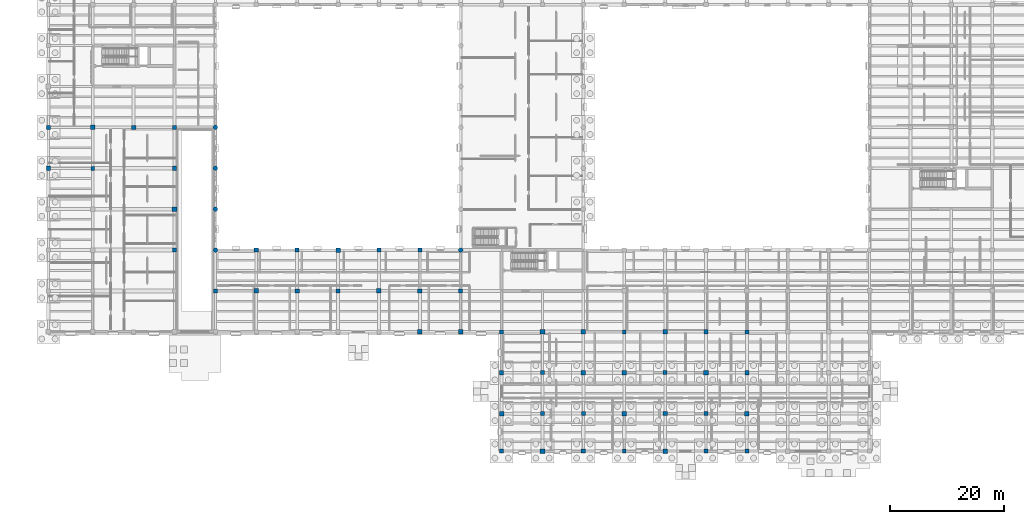
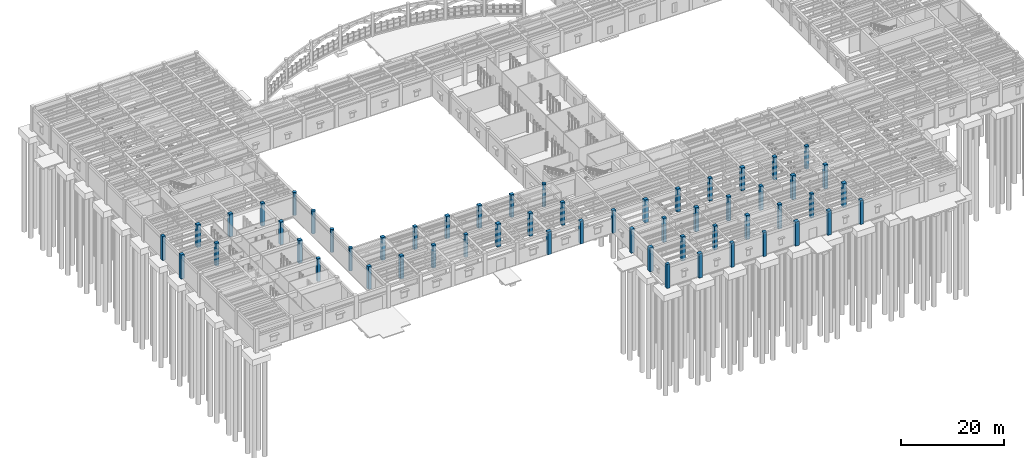
# One storey, part 4 of 100: 56 columns.
"""IFC4 building model written with IfcOpenShell, lengths in metres."""

from ifc_helpers import new_model, si_unit, direction, frame, origin, origin_2d, place, context, subcontext, project, spatial, rectangle, circle, extrude, material, material_profile, profile_set, type_object, element, save


model = new_model("IFC4")

# Units and contexts
model_context = context("Model", 3, precision=1e-05, world=origin(), true_north=direction((0.0, 1.0)))
body_context = subcontext(model_context, "Body", "Model", "MODEL_VIEW")
ifc_project = project(units=[si_unit("LENGTHUNIT", "METRE"), si_unit("AREAUNIT", "SQUARE_METRE"), si_unit("VOLUMEUNIT", "CUBIC_METRE"), si_unit("PLANEANGLEUNIT", "RADIAN"), si_unit("MASSUNIT", "GRAM", prefix="KILO")], contexts=[model_context])

# Site, building, storey
site_placement = place(None, origin())
site = spatial("IfcSite", under=ifc_project, at=site_placement, CompositionType="ELEMENT")
building_placement = place(site_placement, origin())
building = spatial("IfcBuilding", under=site, at=building_placement, Name="Mithqara Police Headquarters", CompositionType="ELEMENT")
storey_placement = place(building_placement, origin())
storey = spatial("IfcBuildingStorey", under=building, at=storey_placement, Name="L00", CompositionType="ELEMENT", Elevation=0.0)

# Columns
ifc_material = material(Name="Concrete C50/60", Category="concrete")
ifc_material_profile_1 = material_profile(ifc_material, rectangle(XDim=0.699951171875, YDim=0.699951171875, at=origin_2d()), Name="RC 700x700")
ifc_profile_set_1 = profile_set([ifc_material_profile_1], Name="Concrete C50/60")
column_type_1 = type_object("IfcColumnType", Name="COLUMN RC700", PredefinedType="COLUMN", material=ifc_profile_set_1)
column_1_placement = place(storey_placement, frame((0.0, 57.0, -0.320068359375), z_axis=(0.0, 0.0, 1.0), x_axis=(1.0, 0.0, 0.0)))
element("IfcColumn", 1, at=column_1_placement, inside=storey, type_object=column_type_1, Name="L00 Column 1/J", PredefinedType="COLUMN", context=body_context, shape_type="SweptSolid", body=[
    extrude(rectangle(XDim=0.699951171875, YDim=0.699951171875, at=origin_2d()), origin(), (0.0, 0.0, 1.0), 5.719970703125),
])
for number, where, z_axis, x_axis, name in (
    (2, (7.800048828125, 49.800048828125, 0.0), (0.0, 0.0, 1.0), (1.0, 0.0, 0.0), "L00 Column 2/H"),
    (3, (22.199951171875, 35.39990234375, 0.0), (0.0, 0.0, 1.0), (1.0, 0.0, 0.0), "L00 Column 4/F"),
    (4, (22.199951171875, 57.0, 0.0), (0.0, 0.0, 1.0), (1.0, 0.0, 0.0), "L00 Column 4/J"),
    (5, (29.39990234375, 28.199951171875, 0.0), (0.0, 0.0, 1.0), (1.0, 0.0, 0.0), "L00 Column 5/E"),
    (6, (43.800048828125, 35.39990234375, 0.0), (0.0, 0.0, 1.0), (1.0, 0.0, 0.0), "L00 Column 7/F"),
    (7, (51.0, 28.199951171875, 0.0), (0.0, 0.0, 1.0), (1.0, 0.0, 0.0), "L00 Column 8/E"),
    (8, (65.39990234375, 35.39990234375, 0.0), (0.0, 0.0, 1.0), (1.0, 0.0, 0.0), "L00 Column 10/F"),
    (9, (72.60009765625, 28.199951171875, 0.0), (0.0, 0.0, 1.0), (1.0, 0.0, 0.0), "L00 Column 11/E"),
):
    element("IfcColumn", number, at=place(storey_placement, frame(where, z_axis=z_axis, x_axis=x_axis)), inside=storey, type_object=column_type_1, Name=name, PredefinedType="COLUMN", context=body_context, shape_type="SweptSolid", body=[
        extrude(rectangle(XDim=0.699951171875, YDim=0.699951171875, at=origin_2d()), origin(), (0.0, 0.0, 1.0), 5.39990234375),
    ])
column_2_placement = place(storey_placement, frame((79.800048828125, 0.0, -0.320068359375), z_axis=(0.0, 0.0, 1.0), x_axis=(1.0, 0.0, 0.0)))
element("IfcColumn", 10, at=column_2_placement, inside=storey, type_object=column_type_1, Name="L00 Column 12/A", PredefinedType="COLUMN", context=body_context, shape_type="SweptSolid", body=[
    extrude(rectangle(XDim=0.699951171875, YDim=0.699951171875, at=origin_2d()), origin(), (0.0, 0.0, 1.0), 5.719970703125),
])
column_3_placement = place(storey_placement, frame((79.800048828125, 21.0, 0.0), z_axis=(0.0, 0.0, 1.0), x_axis=(1.0, 0.0, 0.0)))
element("IfcColumn", 11, at=column_3_placement, inside=storey, type_object=column_type_1, Name="L00 Column 12/D", PredefinedType="COLUMN", context=body_context, shape_type="SweptSolid", body=[
    extrude(rectangle(XDim=0.699951171875, YDim=0.699951171875, at=origin_2d()), origin(), (0.0, 0.0, 1.0), 5.39990234375),
])
for number, where, z_axis, x_axis, name in (
    (12, (87.0, 13.800048828125, -0.320068359375), (0.0, 0.0, 1.0), (1.0, 0.0, 0.0), "L00 Column 13/C"),
    (13, (94.199951171875, 6.60009765625, -0.320068359375), (0.0, 0.0, 1.0), (1.0, 0.0, 0.0), "L00 Column 14/B"),
    (14, (101.39990234375, 0.0, -0.320068359375), (0.0, 0.0, 1.0), (1.0, 0.0, 0.0), "L00 Column 15/A"),
):
    element("IfcColumn", number, at=place(storey_placement, frame(where, z_axis=z_axis, x_axis=x_axis)), inside=storey, type_object=column_type_1, Name=name, PredefinedType="COLUMN", context=body_context, shape_type="SweptSolid", body=[
        extrude(rectangle(XDim=0.699951171875, YDim=0.699951171875, at=origin_2d()), origin(), (0.0, 0.0, 1.0), 5.719970703125),
    ])
column_4_placement = place(storey_placement, frame((101.39990234375, 21.0, 0.0), z_axis=(0.0, 0.0, 1.0), x_axis=(1.0, 0.0, 0.0)))
element("IfcColumn", 15, at=column_4_placement, inside=storey, type_object=column_type_1, Name="L00 Column 15/D", PredefinedType="COLUMN", context=body_context, shape_type="SweptSolid", body=[
    extrude(rectangle(XDim=0.699951171875, YDim=0.699951171875, at=origin_2d()), origin(), (0.0, 0.0, 1.0), 5.39990234375),
])
for number, where, z_axis, x_axis, name in (
    (16, (108.60009765625, 13.800048828125, -0.320068359375), (0.0, 0.0, 1.0), (1.0, 0.0, 0.0), "L00 Column 16/C"),
    (17, (115.800048828125, 6.60009765625, -0.320068359375), (0.0, 0.0, 1.0), (1.0, 0.0, 0.0), "L00 Column 17/B"),
    (18, (123.0, 0.0, -0.320068359375), (0.0, 0.0, 1.0), (1.0, 0.0, 0.0), "L00 Column 18/A"),
):
    element("IfcColumn", number, at=place(storey_placement, frame(where, z_axis=z_axis, x_axis=x_axis)), inside=storey, type_object=column_type_1, Name=name, PredefinedType="COLUMN", context=body_context, shape_type="SweptSolid", body=[
        extrude(rectangle(XDim=0.699951171875, YDim=0.699951171875, at=origin_2d()), origin(), (0.0, 0.0, 1.0), 5.719970703125),
    ])
column_5_placement = place(storey_placement, frame((123.0, 21.0, 0.0), z_axis=(0.0, 0.0, 1.0), x_axis=(1.0, 0.0, 0.0)))
element("IfcColumn", 19, at=column_5_placement, inside=storey, type_object=column_type_1, Name="L00 Column 18/D", PredefinedType="COLUMN", context=body_context, shape_type="SweptSolid", body=[
    extrude(rectangle(XDim=0.699951171875, YDim=0.699951171875, at=origin_2d()), origin(), (0.0, 0.0, 1.0), 5.39990234375),
])
ifc_material_profile_2 = material_profile(ifc_material, rectangle(XDim=0.75, YDim=0.75, at=origin_2d()), Name="RC 750x750")
ifc_profile_set_2 = profile_set([ifc_material_profile_2], Name="Concrete C50/60")
column_type_2 = type_object("IfcColumnType", Name="COLUMN RC750", PredefinedType="COLUMN", material=ifc_profile_set_2)
column_6_placement = place(storey_placement, frame((0.0, 49.800048828125, -0.320068359375), z_axis=(0.0, 0.0, 1.0), x_axis=(1.0, 0.0, 0.0)))
element("IfcColumn", 20, at=column_6_placement, inside=storey, type_object=column_type_2, Name="L00 Column 1/H", PredefinedType="COLUMN", context=body_context, shape_type="SweptSolid", body=[
    extrude(rectangle(XDim=0.75, YDim=0.75, at=origin_2d()), origin(), (0.0, 0.0, 1.0), 5.719970703125),
])
for number, where, z_axis, x_axis, name in (
    (21, (15.0, 57.0, 0.0), (0.0, 0.0, 1.0), (1.0, 0.0, 0.0), "L00 Column 3/J"),
    (22, (22.199951171875, 49.800048828125, 0.0), (0.0, 0.0, 1.0), (1.0, 0.0, 0.0), "L00 Column 4/H"),
    (23, (36.60009765625, 35.39990234375, 0.0), (0.0, 0.0, 1.0), (1.0, 0.0, 0.0), "L00 Column 6/F"),
    (24, (43.800048828125, 28.199951171875, 0.0), (0.0, 0.0, 1.0), (1.0, 0.0, 0.0), "L00 Column 7/E"),
    (25, (58.199951171875, 35.39990234375, 0.0), (0.0, 0.0, 1.0), (1.0, 0.0, 0.0), "L00 Column 9/F"),
    (26, (65.39990234375, 28.199951171875, 0.0), (0.0, 0.0, 1.0), (1.0, 0.0, 0.0), "L00 Column 10/E"),
    (27, (72.60009765625, 21.0, 0.0), (0.0, 0.0, 1.0), (1.0, 0.0, 0.0), "L00 Column 11/D"),
):
    element("IfcColumn", number, at=place(storey_placement, frame(where, z_axis=z_axis, x_axis=x_axis)), inside=storey, type_object=column_type_2, Name=name, PredefinedType="COLUMN", context=body_context, shape_type="SweptSolid", body=[
        extrude(rectangle(XDim=0.75, YDim=0.75, at=origin_2d()), origin(), (0.0, 0.0, 1.0), 5.39990234375),
    ])
for number, where, z_axis, x_axis, name in (
    (28, (79.800048828125, 13.800048828125, -0.320068359375), (0.0, 0.0, 1.0), (1.0, 0.0, 0.0), "L00 Column 12/C"),
    (29, (87.0, 6.60009765625, -0.320068359375), (0.0, 0.0, 1.0), (1.0, 0.0, 0.0), "L00 Column 13/B"),
    (30, (94.199951171875, 0.0, -0.320068359375), (0.0, 0.0, 1.0), (1.0, 0.0, 0.0), "L00 Column 14/A"),
):
    element("IfcColumn", number, at=place(storey_placement, frame(where, z_axis=z_axis, x_axis=x_axis)), inside=storey, type_object=column_type_2, Name=name, PredefinedType="COLUMN", context=body_context, shape_type="SweptSolid", body=[
        extrude(rectangle(XDim=0.75, YDim=0.75, at=origin_2d()), origin(), (0.0, 0.0, 1.0), 5.719970703125),
    ])
column_7_placement = place(storey_placement, frame((94.199951171875, 21.0, 0.0), z_axis=(0.0, 0.0, 1.0), x_axis=(1.0, 0.0, 0.0)))
element("IfcColumn", 31, at=column_7_placement, inside=storey, type_object=column_type_2, Name="L00 Column 14/D", PredefinedType="COLUMN", context=body_context, shape_type="SweptSolid", body=[
    extrude(rectangle(XDim=0.75, YDim=0.75, at=origin_2d()), origin(), (0.0, 0.0, 1.0), 5.39990234375),
])
for number, where, z_axis, x_axis, name in (
    (32, (101.39990234375, 13.800048828125, -0.320068359375), (0.0, 0.0, 1.0), (1.0, 0.0, 0.0), "L00 Column 15/C"),
    (33, (108.60009765625, 6.60009765625, -0.320068359375), (0.0, 0.0, 1.0), (1.0, 0.0, 0.0), "L00 Column 16/B"),
    (34, (115.800048828125, 0.0, -0.320068359375), (0.0, 0.0, 1.0), (1.0, 0.0, 0.0), "L00 Column 17/A"),
):
    element("IfcColumn", number, at=place(storey_placement, frame(where, z_axis=z_axis, x_axis=x_axis)), inside=storey, type_object=column_type_2, Name=name, PredefinedType="COLUMN", context=body_context, shape_type="SweptSolid", body=[
        extrude(rectangle(XDim=0.75, YDim=0.75, at=origin_2d()), origin(), (0.0, 0.0, 1.0), 5.719970703125),
    ])
column_8_placement = place(storey_placement, frame((115.800048828125, 21.0, 0.0), z_axis=(0.0, 0.0, 1.0), x_axis=(1.0, 0.0, 0.0)))
element("IfcColumn", 35, at=column_8_placement, inside=storey, type_object=column_type_2, Name="L00 Column 17/D", PredefinedType="COLUMN", context=body_context, shape_type="SweptSolid", body=[
    extrude(rectangle(XDim=0.75, YDim=0.75, at=origin_2d()), origin(), (0.0, 0.0, 1.0), 5.39990234375),
])
column_9_placement = place(storey_placement, frame((123.0, 13.800048828125, -0.320068359375), z_axis=(0.0, 0.0, 1.0), x_axis=(1.0, 0.0, 0.0)))
element("IfcColumn", 36, at=column_9_placement, inside=storey, type_object=column_type_2, Name="L00 Column 18/C", PredefinedType="COLUMN", context=body_context, shape_type="SweptSolid", body=[
    extrude(rectangle(XDim=0.75, YDim=0.75, at=origin_2d()), origin(), (0.0, 0.0, 1.0), 5.719970703125),
])
ifc_material_profile_3 = material_profile(ifc_material, rectangle(XDim=0.800048828125, YDim=0.800048828125, at=origin_2d()), Name="RC 800x800")
ifc_profile_set_3 = profile_set([ifc_material_profile_3], Name="Concrete C50/60")
column_type_3 = type_object("IfcColumnType", Name="COLUMN RC800", PredefinedType="COLUMN", material=ifc_profile_set_3)
for number, where, z_axis, x_axis, name in (
    (37, (7.800048828125, 57.0, 0.0), (0.0, 0.0, 1.0), (1.0, 0.0, 0.0), "L00 Column 2/J"),
    (38, (22.199951171875, 42.60009765625, 0.0), (0.0, 0.0, 1.0), (1.0, 0.0, 0.0), "L00 Column 4/G"),
    (39, (36.60009765625, 28.199951171875, 0.0), (0.0, 0.0, 1.0), (1.0, 0.0, 0.0), "L00 Column 6/E"),
    (40, (51.0, 35.39990234375, 0.0), (0.0, 0.0, 1.0), (1.0, 0.0, 0.0), "L00 Column 8/F"),
    (41, (58.199951171875, 28.199951171875, 0.0), (0.0, 0.0, 1.0), (1.0, 0.0, 0.0), "L00 Column 9/E"),
    (42, (65.39990234375, 21.0, 0.0), (0.0, 0.0, 1.0), (1.0, 0.0, 0.0), "L00 Column 10/D"),
):
    element("IfcColumn", number, at=place(storey_placement, frame(where, z_axis=z_axis, x_axis=x_axis)), inside=storey, type_object=column_type_3, Name=name, PredefinedType="COLUMN", context=body_context, shape_type="SweptSolid", body=[
        extrude(rectangle(XDim=0.800048828125, YDim=0.800048828125, at=origin_2d()), origin(), (0.0, 0.0, 1.0), 5.39990234375),
    ])
for number, where, z_axis, x_axis, name in (
    (43, (79.800048828125, 6.60009765625, -0.320068359375), (0.0, 0.0, 1.0), (1.0, 0.0, 0.0), "L00 Column 12/B"),
    (44, (87.0, 0.0, -0.320068359375), (0.0, 0.0, 1.0), (1.0, 0.0, 0.0), "L00 Column 13/A"),
):
    element("IfcColumn", number, at=place(storey_placement, frame(where, z_axis=z_axis, x_axis=x_axis)), inside=storey, type_object=column_type_3, Name=name, PredefinedType="COLUMN", context=body_context, shape_type="SweptSolid", body=[
        extrude(rectangle(XDim=0.800048828125, YDim=0.800048828125, at=origin_2d()), origin(), (0.0, 0.0, 1.0), 5.719970703125),
    ])
column_10_placement = place(storey_placement, frame((87.0, 21.0, 0.0), z_axis=(0.0, 0.0, 1.0), x_axis=(1.0, 0.0, 0.0)))
element("IfcColumn", 45, at=column_10_placement, inside=storey, type_object=column_type_3, Name="L00 Column 13/D", PredefinedType="COLUMN", context=body_context, shape_type="SweptSolid", body=[
    extrude(rectangle(XDim=0.800048828125, YDim=0.800048828125, at=origin_2d()), origin(), (0.0, 0.0, 1.0), 5.39990234375),
])
for number, where, z_axis, x_axis, name in (
    (46, (94.199951171875, 13.800048828125, -0.320068359375), (0.0, 0.0, 1.0), (1.0, 0.0, 0.0), "L00 Column 14/C"),
    (47, (101.39990234375, 6.60009765625, -0.320068359375), (0.0, 0.0, 1.0), (1.0, 0.0, 0.0), "L00 Column 15/B"),
    (48, (108.60009765625, 0.0, -0.320068359375), (0.0, 0.0, 1.0), (1.0, 0.0, 0.0), "L00 Column 16/A"),
):
    element("IfcColumn", number, at=place(storey_placement, frame(where, z_axis=z_axis, x_axis=x_axis)), inside=storey, type_object=column_type_3, Name=name, PredefinedType="COLUMN", context=body_context, shape_type="SweptSolid", body=[
        extrude(rectangle(XDim=0.800048828125, YDim=0.800048828125, at=origin_2d()), origin(), (0.0, 0.0, 1.0), 5.719970703125),
    ])
column_11_placement = place(storey_placement, frame((108.60009765625, 21.0, 0.0), z_axis=(0.0, 0.0, 1.0), x_axis=(1.0, 0.0, 0.0)))
element("IfcColumn", 49, at=column_11_placement, inside=storey, type_object=column_type_3, Name="L00 Column 16/D", PredefinedType="COLUMN", context=body_context, shape_type="SweptSolid", body=[
    extrude(rectangle(XDim=0.800048828125, YDim=0.800048828125, at=origin_2d()), origin(), (0.0, 0.0, 1.0), 5.39990234375),
])
for number, where, z_axis, x_axis, name in (
    (50, (115.800048828125, 13.800048828125, -0.320068359375), (0.0, 0.0, 1.0), (1.0, 0.0, 0.0), "L00 Column 17/C"),
    (51, (123.0, 6.60009765625, -0.320068359375), (0.0, 0.0, 1.0), (1.0, 0.0, 0.0), "L00 Column 18/B"),
):
    element("IfcColumn", number, at=place(storey_placement, frame(where, z_axis=z_axis, x_axis=x_axis)), inside=storey, type_object=column_type_3, Name=name, PredefinedType="COLUMN", context=body_context, shape_type="SweptSolid", body=[
        extrude(rectangle(XDim=0.800048828125, YDim=0.800048828125, at=origin_2d()), origin(), (0.0, 0.0, 1.0), 5.719970703125),
    ])
ifc_material_profile_4 = material_profile(ifc_material, circle(Radius=0.39990234375, at=origin_2d()), Name="RCD 800")
ifc_profile_set_4 = profile_set([ifc_material_profile_4], Name="Concrete C50/60")
column_type_4 = type_object("IfcColumnType", Name="COLUMN RCD800", PredefinedType="COLUMN", material=ifc_profile_set_4)
for number, where, z_axis, x_axis, name in (
    (52, (29.39990234375, 35.39990234375, 0.0), (0.0, 0.0, 1.0), (1.0, 0.0, 0.0), "L00 Column 5/F"),
    (53, (29.39990234375, 42.60009765625, 0.0), (0.0, 0.0, 1.0), (1.0, 0.0, 0.0), "L00 Column 5/G"),
    (54, (29.39990234375, 49.800048828125, 0.0), (0.0, 0.0, 1.0), (1.0, 0.0, 0.0), "L00 Column 5/H"),
    (55, (29.39990234375, 57.0, 0.0), (0.0, 0.0, 1.0), (1.0, 0.0, 0.0), "L00 Column 5/J"),
    (56, (72.60009765625, 35.39990234375, 0.0), (0.0, 0.0, 1.0), (1.0, 0.0, 0.0), "L00 Column 11/F"),
):
    element("IfcColumn", number, at=place(storey_placement, frame(where, z_axis=z_axis, x_axis=x_axis)), inside=storey, type_object=column_type_4, Name=name, PredefinedType="COLUMN", context=body_context, shape_type="SweptSolid", body=[
        extrude(circle(Radius=0.39990234375, at=origin_2d()), origin(), (0.0, 0.0, 1.0), 5.39990234375),
    ])

save(model, "model.ifc")
